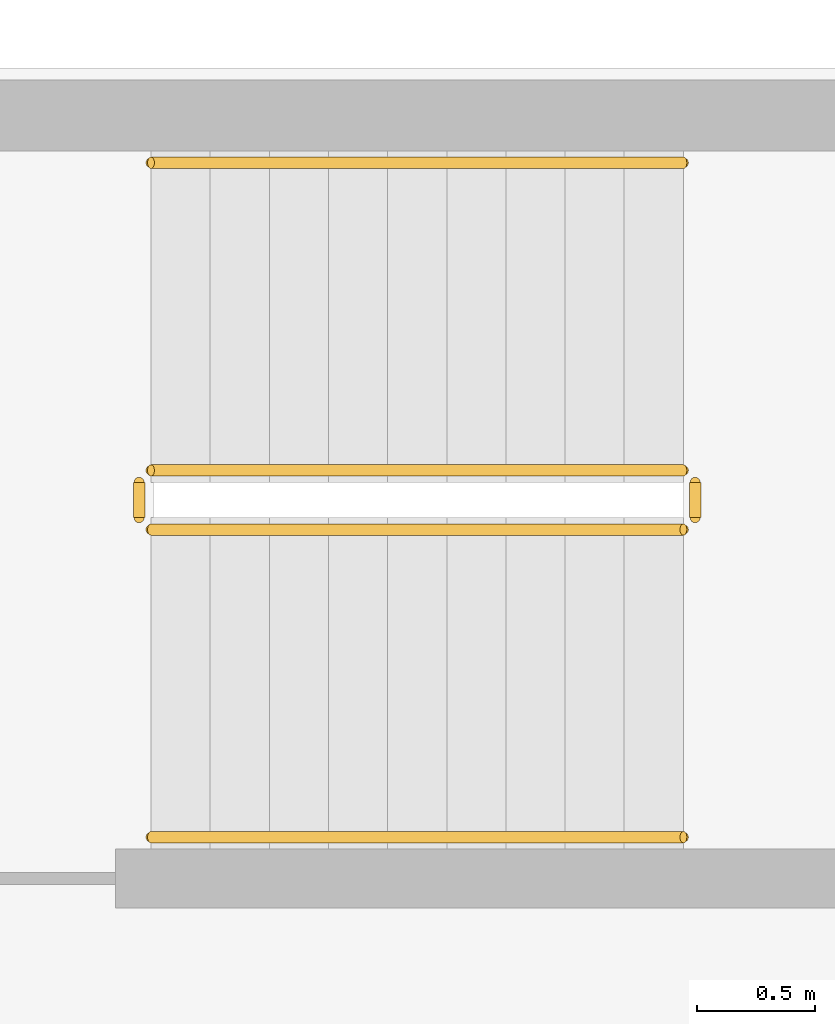
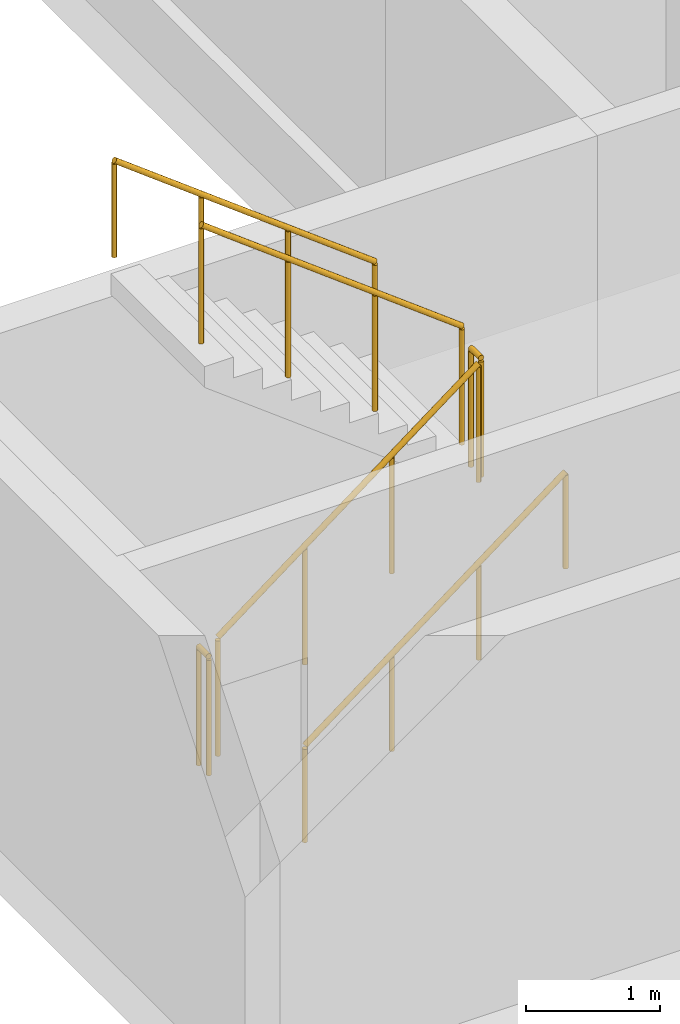
# One storey, part 11 of 11: 6 railings.
"""IFC4 building model written with IfcOpenShell, lengths in metres."""

from ifc_helpers import new_model, si_unit, direction, frame, origin, origin_2d, place, context, subcontext, project, spatial, circle, extrude, source, transform, mapped, material, type_object, element, save


model = new_model("IFC4")

# Units and contexts
model_context = context("Model", 3, precision=1e-05, world=origin(), true_north=direction((0.0, 1.0)))
body_context = subcontext(model_context, "Body", "Model", "MODEL_VIEW")
ifc_project = project(units=[si_unit("LENGTHUNIT", "METRE"), si_unit("AREAUNIT", "SQUARE_METRE"), si_unit("VOLUMEUNIT", "CUBIC_METRE"), si_unit("PLANEANGLEUNIT", "RADIAN"), si_unit("MASSUNIT", "GRAM", prefix="KILO")], contexts=[model_context])

# Site, building, storey
site_placement = place(None, origin())
site = spatial("IfcSite", under=ifc_project, at=site_placement, CompositionType="ELEMENT")
building_placement = place(site_placement, origin())
building = spatial("IfcBuilding", under=site, at=building_placement, Name="Aurelian Terraces", CompositionType="ELEMENT")
storey_placement = place(building_placement, frame((0.0, 0.0, 257.6)))
storey = spatial("IfcBuildingStorey", under=building, at=storey_placement, Name="L59", CompositionType="ELEMENT", Elevation=257.6)

# Railings
ifc_material = material(Name="Stainless steel", Category="steel")
railing_type_1 = type_object("IfcRailingType", Name="Stair guard 1100", PredefinedType="GUARDRAIL", material=ifc_material)
shared_shape_1 = source(origin(), body_context, "Body", "SweptSolid", [
    extrude(circle(Radius=0.024, at=origin_2d()), frame((0.0, 0.0, 1.076), z_axis=(0.0, 1.0, 0.0), x_axis=(-1.0, 0.0, 0.0)), (0.0, 0.0, 1.0), 0.15),
    extrude(circle(Radius=0.021, at=origin_2d()), origin(), (0.0, 0.0, 1.0), 1.052),
    extrude(circle(Radius=0.021, at=origin_2d()), frame((0.0, 0.15, 0.0)), (0.0, 0.0, 1.0), 1.052),
])
for number, where, name in (
    (1, (4.4, 42.05, 1.9), "L59 S3 stair guard 2"),
    (2, (2.05, 42.05, 0.0), "L59 S3 stair guard 4"),
):
    element("IfcRailing", number, at=place(storey_placement, frame(where)), inside=storey, type_object=railing_type_1, Name=name, PredefinedType="GUARDRAIL", context=body_context, shape_type="MappedRepresentation", body=[
        mapped(shared_shape_1, transform((0.0, 0.0, 0.0), scale=1.0)),
    ])
shared_shape_2 = source(origin(), body_context, "Body", "SweptSolid", [
    extrude(circle(Radius=0.024, at=origin_2d()), frame((0.0, 0.0, 1.076), z_axis=(0.796162194123, 0.0, 0.605083267534), x_axis=(0.0, 1.0, 0.0)), (0.0, 0.0, 1.0), 2.8261),
    extrude(circle(Radius=0.021, at=origin_2d()), origin(), (0.0, 0.0, 1.0), 1.052),
    extrude(circle(Radius=0.021, at=origin_2d()), frame((0.75, 0.0, 0.57)), (0.0, 0.0, 1.0), 1.052),
    extrude(circle(Radius=0.021, at=origin_2d()), frame((1.5, 0.0, 1.14)), (0.0, 0.0, 1.0), 1.052),
    extrude(circle(Radius=0.021, at=origin_2d()), frame((2.25, 0.0, 1.71)), (0.0, 0.0, 1.0), 1.052),
])
railing_1_placement = place(storey_placement, frame((2.1, 42.0, 0.19)))
element("IfcRailing", 3, at=railing_1_placement, inside=storey, type_object=railing_type_1, Name="L59 S3 stair guard 1", PredefinedType="GUARDRAIL", context=body_context, shape_type="MappedRepresentation", body=[
    mapped(shared_shape_2, transform((0.0, 0.0, 0.0), scale=1.0)),
])
shared_shape_3 = source(origin(), body_context, "Body", "SweptSolid", [
    extrude(circle(Radius=0.024, at=origin_2d()), frame((0.0, 0.0, 1.076), z_axis=(-0.796162194123, 0.0, 0.605083267534), x_axis=(0.0, -1.0, 0.0)), (0.0, 0.0, 1.0), 2.8261),
    extrude(circle(Radius=0.021, at=origin_2d()), origin(), (0.0, 0.0, 1.0), 1.052),
    extrude(circle(Radius=0.021, at=origin_2d()), frame((-0.75, 0.0, 0.57)), (0.0, 0.0, 1.0), 1.052),
    extrude(circle(Radius=0.021, at=origin_2d()), frame((-1.5, 0.0, 1.14)), (0.0, 0.0, 1.0), 1.052),
    extrude(circle(Radius=0.021, at=origin_2d()), frame((-2.25, 0.0, 1.71)), (0.0, 0.0, 1.0), 1.052),
])
railing_2_placement = place(storey_placement, frame((4.35, 42.25, 2.09)))
element("IfcRailing", 4, at=railing_2_placement, inside=storey, type_object=railing_type_1, Name="L59 S3 stair guard 3", PredefinedType="GUARDRAIL", context=body_context, shape_type="MappedRepresentation", body=[
    mapped(shared_shape_3, transform((0.0, 0.0, 0.0), scale=1.0)),
])
railing_type_2 = type_object("IfcRailingType", Name="Stair handrail", PredefinedType="HANDRAIL", material=ifc_material)
shared_shape_4 = source(origin(), body_context, "Body", "SweptSolid", [
    extrude(circle(Radius=0.024, at=origin_2d()), frame((0.0, 0.0, 0.876), z_axis=(0.796162194123, 0.0, 0.605083267534), x_axis=(0.0, 1.0, 0.0)), (0.0, 0.0, 1.0), 2.8261),
    extrude(circle(Radius=0.021, at=origin_2d()), origin(), (0.0, 0.0, 1.0), 0.852),
    extrude(circle(Radius=0.021, at=origin_2d()), frame((0.75, 0.0, 0.57)), (0.0, 0.0, 1.0), 0.852),
    extrude(circle(Radius=0.021, at=origin_2d()), frame((1.5, 0.0, 1.14)), (0.0, 0.0, 1.0), 0.852),
    extrude(circle(Radius=0.021, at=origin_2d()), frame((2.25, 0.0, 1.71)), (0.0, 0.0, 1.0), 0.852),
])
railing_3_placement = place(storey_placement, frame((2.1, 40.7, 0.19)))
element("IfcRailing", 5, at=railing_3_placement, inside=storey, type_object=railing_type_2, Name="L59 S3 stair handrail 1", PredefinedType="HANDRAIL", context=body_context, shape_type="MappedRepresentation", body=[
    mapped(shared_shape_4, transform((0.0, 0.0, 0.0), scale=1.0)),
])
shared_shape_5 = source(origin(), body_context, "Body", "SweptSolid", [
    extrude(circle(Radius=0.024, at=origin_2d()), frame((0.0, 0.0, 0.876), z_axis=(-0.796162194123, 0.0, 0.605083267534), x_axis=(0.0, -1.0, 0.0)), (0.0, 0.0, 1.0), 2.8261),
    extrude(circle(Radius=0.021, at=origin_2d()), origin(), (0.0, 0.0, 1.0), 0.852),
    extrude(circle(Radius=0.021, at=origin_2d()), frame((-0.75, 0.0, 0.57)), (0.0, 0.0, 1.0), 0.852),
    extrude(circle(Radius=0.021, at=origin_2d()), frame((-1.5, 0.0, 1.14)), (0.0, 0.0, 1.0), 0.852),
    extrude(circle(Radius=0.021, at=origin_2d()), frame((-2.25, 0.0, 1.71)), (0.0, 0.0, 1.0), 0.852),
])
railing_4_placement = place(storey_placement, frame((4.35, 43.55, 2.09)))
element("IfcRailing", 6, at=railing_4_placement, inside=storey, type_object=railing_type_2, Name="L59 S3 stair handrail 2", PredefinedType="HANDRAIL", context=body_context, shape_type="MappedRepresentation", body=[
    mapped(shared_shape_5, transform((0.0, 0.0, 0.0), scale=1.0)),
])

save(model, "model.ifc")
